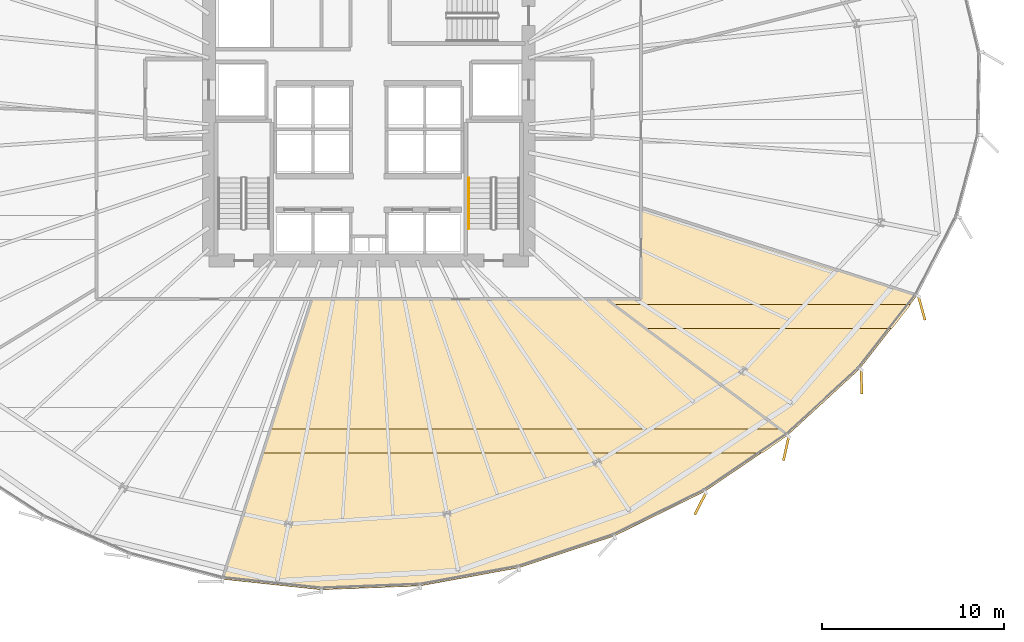
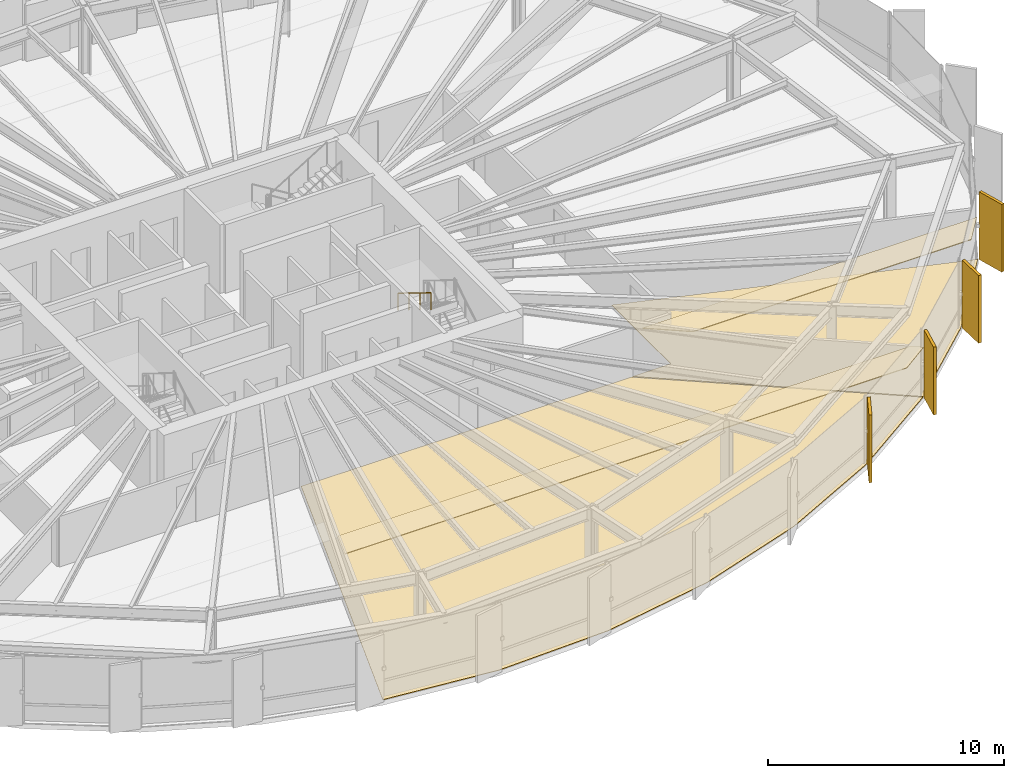
# One storey, part 35 of 37: 8 coverings, 1 railing.
"""IFC4 building model written with IfcOpenShell, lengths in metres."""

from ifc_helpers import new_model, si_unit, direction, frame, origin, origin_2d, place, context, subcontext, project, spatial, polyline, rectangle, circle, outline, extrude, source, transform, mapped, material, layer, layer_set, type_object, element, save


model = new_model("IFC4")

# Units and contexts
model_context = context("Model", 3, precision=1e-05, world=origin(), true_north=direction((0.0, 1.0)))
body_context = subcontext(model_context, "Body", "Model", "MODEL_VIEW")
ifc_project = project(units=[si_unit("LENGTHUNIT", "METRE"), si_unit("AREAUNIT", "SQUARE_METRE"), si_unit("VOLUMEUNIT", "CUBIC_METRE"), si_unit("PLANEANGLEUNIT", "RADIAN"), si_unit("MASSUNIT", "GRAM", prefix="KILO"), si_unit("THERMODYNAMICTEMPERATUREUNIT", "KELVIN")], contexts=[model_context])

# Site, building, storey
site_placement = place(None, origin())
site = spatial("IfcSite", under=ifc_project, at=site_placement, CompositionType="ELEMENT")
building_placement = place(site_placement, origin())
building = spatial("IfcBuilding", under=site, at=building_placement, Name="Kethvar Cultural Tower", CompositionType="ELEMENT")
storey_placement = place(building_placement, frame((0.0, 0.0, 56.199951171875)))
storey = spatial("IfcBuildingStorey", under=building, at=storey_placement, Name="L13", CompositionType="ELEMENT", Elevation=56.199951171875)

# Coverings
ifc_material_1 = material(Name="Acoustic Mineral Fibre Ceiling")
ifc_layer_1 = layer(ifc_material_1, 0.0400390625, Name="Acoustic Mineral Fibre Ceiling")
ifc_layer_set_1 = layer_set([ifc_layer_1], Name="Acoustic Mineral Fibre Ceiling (40 mm)")
covering_type_1 = type_object("IfcCoveringType", Name="CV-ACOUSTIC-CEIL", PredefinedType="CEILING", material=ifc_layer_set_1)
covering_1_placement = place(storey_placement, frame((0.0, 0.0, 2.56005859375)))
element("IfcCovering", 1, at=covering_1_placement, inside=storey, type_object=covering_type_1, Name="L13 Room 02 Acoustic Ceiling Panel", PredefinedType="CEILING", context=body_context, shape_type="SweptSolid", body=[
    extrude(outline(polyline([(69.88671875, 10.48681640625), (68.496826171875, 9.5126953125), (40.963623046875, 9.5126953125), (41.38037109375, 10.82275390625), (69.439697265625, 10.82275390625), (69.88671875, 10.48681640625)])), origin(), (0.0, 0.0, 1.0), 0.0400390625),
])
covering_2_placement = place(storey_placement, frame((0.0, 0.0, 2.56005859375)))
element("IfcCovering", 2, at=covering_2_placement, inside=storey, type_object=covering_type_1, Name="L13 Room 03 Acoustic Ceiling Panel", PredefinedType="CEILING", context=body_context, shape_type="SweptSolid", body=[
    extrude(outline(polyline([(60.242431640625, 17.6796875), (76.642822265625, 17.6796875), (75.618408203125, 16.36962890625), (61.98681640625, 16.36962890625), (60.242431640625, 17.6796875)])), origin(), (0.0, 0.0, 1.0), 0.0400390625),
])
ifc_material_2 = material(Name="Architectural Oak Timber", Category="wood")
ifc_layer_2 = layer(ifc_material_2, 0.02490234375, Name="Architectural Oak Timber", Category="wood")
ifc_layer_set_2 = layer_set([ifc_layer_2], Name="Architectural Oak Timber (25 mm)")
covering_type_2 = type_object("IfcCoveringType", Name="CV-OAK-FLOOR", PredefinedType="FLOORING", material=ifc_layer_set_2)
covering_3_placement = place(storey_placement, origin())
element("IfcCovering", 3, at=covering_3_placement, inside=storey, type_object=covering_type_2, Name="L13 Room 02 Floor Finish", PredefinedType="FLOORING", context=body_context, shape_type="SweptSolid", body=[
    extrude(outline(polyline([(69.8388671875, 10.472900390625), (65.30517578125, 7.39208984375), (60.3125, 4.9306640625), (55.042236328125, 3.1787109375), (49.627685546875, 2.18701171875), (44.157958984375, 1.97705078125), (38.79150390625, 2.549560546875), (43.69189453125, 17.9599609375), (59.869384765625, 17.9599609375), (69.8388671875, 10.472900390625)])), origin(), (0.0, 0.0, 1.0), 0.025146484375),
])
covering_4_placement = place(storey_placement, origin())
element("IfcCovering", 4, at=covering_4_placement, inside=storey, type_object=covering_type_2, Name="L13 Room 03 Floor Finish", PredefinedType="FLOORING", context=body_context, shape_type="SweptSolid", body=[
    extrude(outline(polyline([(73.807861328125, 14.11962890625), (69.8720703125, 10.498046875), (59.935791015625, 17.9599609375), (61.80859375, 17.972412109375), (61.81005859375, 22.987060546875), (76.960205078125, 18.150390625), (73.807861328125, 14.11962890625)])), origin(), (0.0, 0.0, 1.0), 0.025146484375),
])

# Railing
ifc_material_3 = material(Name="Steel S355J2", Category="steel")
railing_type = type_object("IfcRailingType", Name="RL-STAIR-HANDRAIL", PredefinedType="HANDRAIL", material=ifc_material_3)
railing_placement = place(storey_placement, frame((52.300048828125, 24.64990234375, 2.07275390625)))
element("IfcRailing", 5, at=railing_placement, inside=storey, type_object=railing_type, Name="L13 ST-02 stair handrail 2", PredefinedType="HANDRAIL", context=body_context, shape_type="SweptSolid", body=[
    extrude(circle(Radius=0.02392578125, at=origin_2d()), frame((0.0, 0.0, 0.8759765625), z_axis=(0.0, -0.851069175582, 0.525053576669), x_axis=(1.0, 0.0, 0.0)), (0.0, 0.0, 1.0), 3.289794921875),
    extrude(circle(Radius=0.02099609375, at=origin_2d()), origin(), (0.0, 0.0, 1.0), 0.851806640625),
    extrude(circle(Radius=0.02099609375, at=origin_2d()), frame((0.0, -0.933349609375, 0.57568359375)), (0.0, 0.0, 1.0), 0.851806640625),
    extrude(circle(Radius=0.02099609375, at=origin_2d()), frame((0.0, -1.866455078125, 1.151611328125)), (0.0, 0.0, 1.0), 0.851806640625),
    extrude(circle(Radius=0.02099609375, at=origin_2d()), frame((0.0, -2.7998046875, 1.727294921875)), (0.0, 0.0, 1.0), 0.851806640625),
])

# Coverings
ifc_material_4 = material(Name="Extruded Architectural Terracotta", Category="masonry")
ifc_layer_3 = layer(ifc_material_4, 0.135009765625, Name="Extruded Architectural Terracotta", Category="masonry")
ifc_layer_set_3 = layer_set([ifc_layer_3], Name="Extruded Architectural Terracotta (135 mm)")
covering_type_3 = type_object("IfcCoveringType", Name="Terracotta Facade Fin FIN-01", PredefinedType="CLADDING", material=ifc_layer_set_3)
shared_shape = source(origin(), body_context, "Body", "SweptSolid", [
    extrude(rectangle(XDim=1.35009765625, YDim=0.135009765625, at=origin_2d()), origin(), (0.0, 0.0, 1.0), 3.510009765625),
])
for number, where, z_axis, x_axis, name in (
    (6, (65.0546875, 6.70703125, 0.02001953125), (0.0, 0.0, 1.0), (-0.452901591366, -0.891560513111, 0.0), "L13 Vertical Terracotta Fin 6.5"),
    (7, (69.780517578125, 9.75439453125, 0.02001953125), (0.0, 0.0, 1.0), (-0.217632222696, -0.976030847691, 0.0), "L13 Vertical Terracotta Fin 6.6"),
    (8, (73.928466796875, 13.415283203125, 0.02001953125), (0.0, 0.0, 1.0), (0.024955617256, -0.999688560086, 0.0), "L13 Vertical Terracotta Fin 7.1"),
    (9, (77.24462890625, 17.4736328125, 0.02001953125), (0.0, 0.0, 1.0), (0.266733783743, -0.963770246796, 0.0), "L13 Vertical Terracotta Fin 7.2"),
):
    element("IfcCovering", number, at=place(storey_placement, frame(where, z_axis=z_axis, x_axis=x_axis)), inside=storey, type_object=covering_type_3, Name=name, PredefinedType="CLADDING", context=body_context, shape_type="MappedRepresentation", body=[
        mapped(shared_shape, transform((0.0, 0.0, 0.0), scale=1.0)),
    ])

save(model, "model.ifc")
